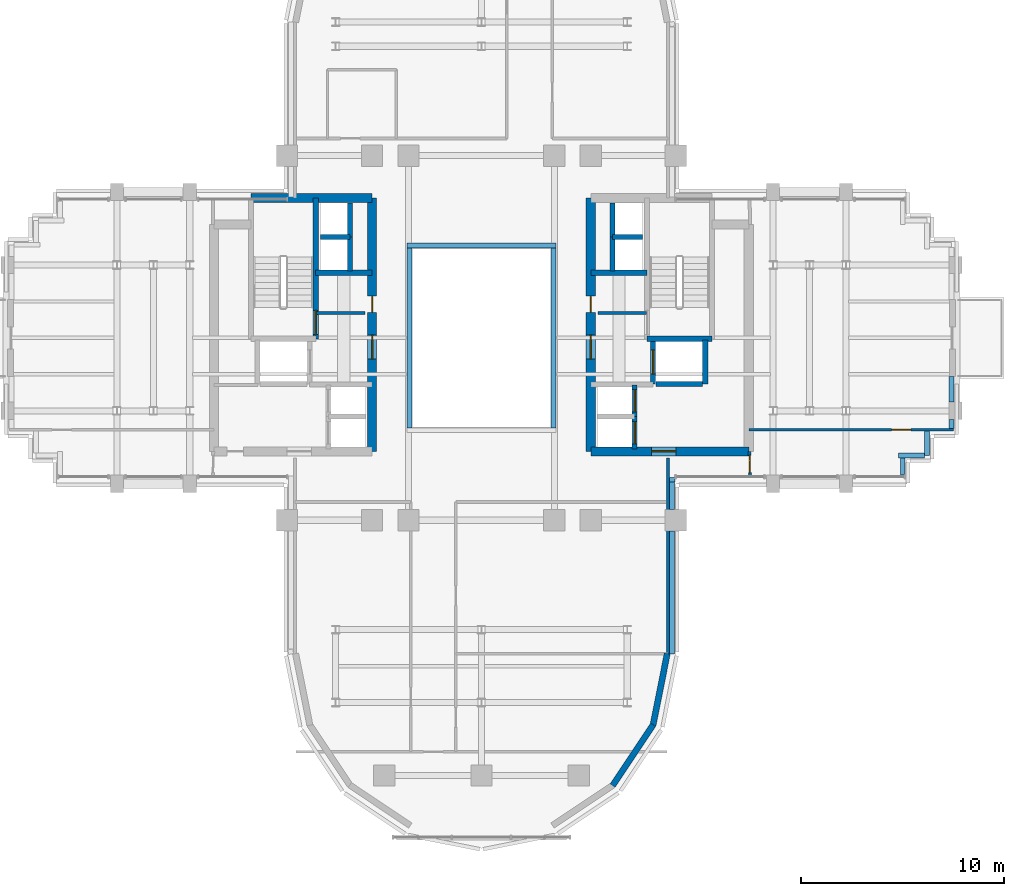
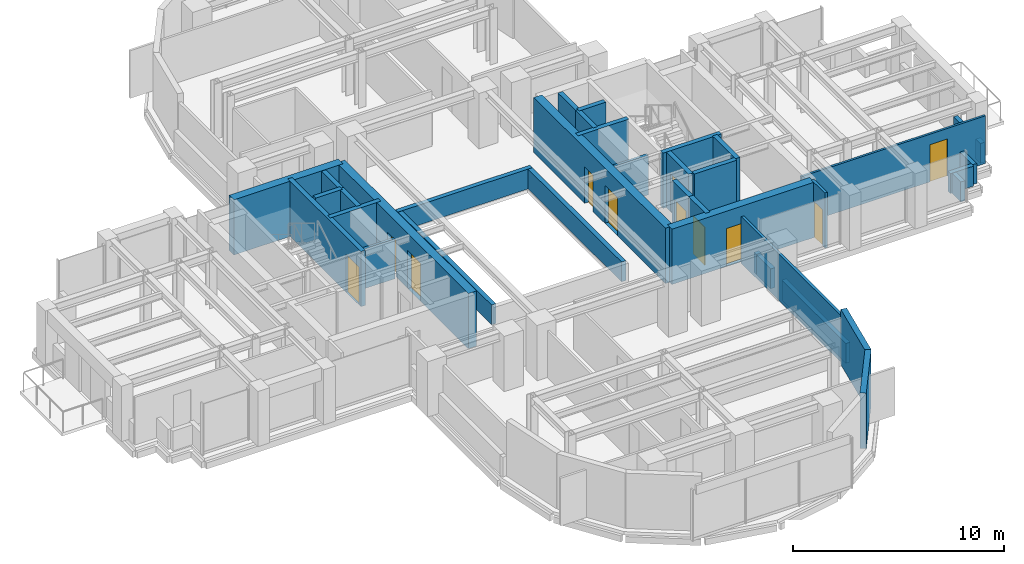
# One storey, part 9 of 13: 37 walls, 11 doors, 11 openings.
"""IFC4 building model written with IfcOpenShell, lengths in metres."""

import ifcopenshell
import ifcopenshell.guid

model = None  # the IFC model being written
_history = None  # IfcOwnerHistory: only IFC2X3 demands one
_inside = {}  # id of a spatial element -> (the spatial element, [elements in it])
_under = {}  # id of a project, library or spatial element -> (it, [spatial elements below it])
_declared = {}  # id of a project -> (the project, [libraries it declares])
_typed = {}  # id of a type object -> (the type object, [elements of that type])
_made_of = {}  # id of a material, layer set ... -> (it, [elements and type objects made of it])


def new_model(schema):
    """Start an empty IFC model of exactly this schema.

    Asked for "IFC4X3", IfcOpenShell would pick the latest addendum, in which some entities
    have other attributes; the version numbers below select the first issue.
    IFC2X3 requires an IfcOwnerHistory on every rooted entity: one is made here for all.
    """
    global model, _history
    if schema == "IFC4X3":
        model = ifcopenshell.file(schema_version=(4, 3, 0, 0))
    else:
        model = ifcopenshell.file(schema=schema)
    _inside.clear()
    _under.clear()
    _declared.clear()
    _typed.clear()
    _made_of.clear()
    _history = None
    if model.schema == "IFC2X3":
        org = make("IfcOrganization", Name="unknown")
        user = make(
            "IfcPersonAndOrganization",
            ThePerson=make("IfcPerson", FamilyName="unknown"),
            TheOrganization=org,
        )
        app = make(
            "IfcApplication",
            ApplicationDeveloper=org,
            Version="unknown",
            ApplicationFullName="unknown",
            ApplicationIdentifier="unknown",
        )
        _history = make(
            "IfcOwnerHistory",
            OwningUser=user,
            OwningApplication=app,
            ChangeAction="ADDED",
            CreationDate=0,
        )
    return model


def make(cls, **values):
    """One entity of the class cls with the attributes given. An attribute that is None is left unset."""
    return model.create_entity(
        cls, **{name: value for name, value in values.items() if value is not None}
    )


def rooted(cls, **values):
    """An entity with a GlobalId (a new one), such as an element, a storey or a relation."""
    return make(cls, GlobalId=ifcopenshell.guid.new(), OwnerHistory=_history, **values)


def si_unit(unit_type, name, prefix=None):
    """IfcSIUnit, for example si_unit("LENGTHUNIT", "METRE", prefix="MILLI")."""
    return make("IfcSIUnit", UnitType=unit_type, Prefix=prefix, Name=name)


def assignment(units):
    """IfcUnitAssignment: the units of a project."""
    return None if units is None else make("IfcUnitAssignment", Units=units)


def point(xyz):
    """IfcCartesianPoint."""
    return None if xyz is None else make("IfcCartesianPoint", Coordinates=xyz)


def direction(xyz):
    """IfcDirection."""
    return None if xyz is None else make("IfcDirection", DirectionRatios=xyz)


def frame(location, z_axis=None, x_axis=None):
    """IfcAxis2Placement3D, a coordinate frame: its origin and axes. An axis left out is left unset."""
    return make(
        "IfcAxis2Placement3D",
        Location=point(location),
        Axis=direction(z_axis),
        RefDirection=direction(x_axis),
    )


def frame_2d(location, x_axis=None):
    """IfcAxis2Placement2D, a coordinate frame in the plane: its origin and x axis."""
    return make(
        "IfcAxis2Placement2D", Location=point(location), RefDirection=direction(x_axis)
    )


def origin():
    """The frame at (0, 0, 0) with its axes left unset."""
    return frame((0.0, 0.0, 0.0))


def place(relative_to, where):
    """IfcLocalPlacement: puts the frame where relative to a parent placement (None: the world)."""
    return make(
        "IfcLocalPlacement", PlacementRelTo=relative_to, RelativePlacement=where
    )


def context(
    kind, dimensions, precision=None, world=None, true_north=None, identifier=None
):
    """IfcGeometricRepresentationContext, for example the 3D "Model" context."""
    return make(
        "IfcGeometricRepresentationContext",
        ContextIdentifier=identifier,
        ContextType=kind,
        CoordinateSpaceDimension=dimensions,
        Precision=precision,
        WorldCoordinateSystem=world,
        TrueNorth=true_north,
    )


def subcontext(parent, identifier, kind, view, scale=None):
    """IfcGeometricRepresentationSubContext, for example "Body" below "Model"."""
    return make(
        "IfcGeometricRepresentationSubContext",
        ContextIdentifier=identifier,
        ContextType=kind,
        ParentContext=parent,
        TargetScale=scale,
        TargetView=view,
    )


def project(units=None, contexts=None):
    """IfcProject with its units and contexts."""
    return rooted(
        "IfcProject",
        Name="project",
        RepresentationContexts=contexts,
        UnitsInContext=assignment(units),
    )


def spatial(cls, under=None, at=None, **own):
    """A site, building, storey or space (cls), placed at a placement, below another one or the project."""
    s = rooted(cls, ObjectPlacement=at, **own)
    if under is not None:
        _under.setdefault(under.id(), (under, []))[1].append(s)
    return s


def profile(cls, at=None, kind="AREA", **sizes):
    """A parametric profile (cls). Its sizes go by their IFC names, for example OverallWidth=200.0."""
    return make(cls, ProfileType=kind, Position=at, **sizes)


def rectangle(**sizes):
    """IfcRectangleProfileDef."""
    return profile("IfcRectangleProfileDef", **sizes)


def extrude(swept, where, along, depth):
    """IfcExtrudedAreaSolid: the profile swept, set in the frame where, extruded along a direction by depth."""
    return make(
        "IfcExtrudedAreaSolid",
        SweptArea=swept,
        Position=where,
        ExtrudedDirection=direction(along),
        Depth=depth,
    )


def shape(context_of_items, identifier, shape_type, items):
    """IfcShapeRepresentation: the items that make up one representation, for example the "Body"."""
    return make(
        "IfcShapeRepresentation",
        ContextOfItems=context_of_items,
        RepresentationIdentifier=identifier,
        RepresentationType=shape_type,
        Items=items,
    )


def source(mapping_origin, context_of_items, identifier, shape_type, items):
    """IfcRepresentationMap: a shape defined once, which mapped items show again and again."""
    return make(
        "IfcRepresentationMap",
        MappingOrigin=mapping_origin,
        MappedRepresentation=shape(context_of_items, identifier, shape_type, items),
    )


def transform(
    local_origin,
    x_axis=None,
    y_axis=None,
    z_axis=None,
    scale=None,
    scale2=None,
    scale3=None,
    uniform=True,
):
    """IfcCartesianTransformationOperator3D, or its non-uniform kind. x_axis, y_axis, z_axis: its Axis1, 2, 3."""
    if uniform:
        return make(
            "IfcCartesianTransformationOperator3D",
            Axis1=direction(x_axis),
            Axis2=direction(y_axis),
            LocalOrigin=point(local_origin),
            Scale=scale,
            Axis3=direction(z_axis),
        )
    return make(
        "IfcCartesianTransformationOperator3DnonUniform",
        Axis1=direction(x_axis),
        Axis2=direction(y_axis),
        LocalOrigin=point(local_origin),
        Scale=scale,
        Axis3=direction(z_axis),
        Scale2=scale2,
        Scale3=scale3,
    )


def mapped(mapping_source, mapping_target):
    """IfcMappedItem: shows the shape of a source again, moved by a transform."""
    return make(
        "IfcMappedItem", MappingSource=mapping_source, MappingTarget=mapping_target
    )


def material(Name=None, Category=None):
    """IfcMaterial."""
    return make("IfcMaterial", Name=Name, Category=Category)


def layer(
    of_material, thickness, ventilated=None, Name=None, Category=None, Priority=None
):
    """IfcMaterialLayer: one layer of a wall or slab, of a material (None: an air gap)."""
    return make(
        "IfcMaterialLayer",
        Material=of_material,
        LayerThickness=thickness,
        IsVentilated=ventilated,
        Name=Name,
        Category=Category,
        Priority=Priority,
    )


def layer_set(layers, Name=None):
    """IfcMaterialLayerSet."""
    return make("IfcMaterialLayerSet", MaterialLayers=layers, LayerSetName=Name)


def made_of(thing, what):
    """Note that an element or type object is made of a material, layer set ...; save() writes the relation."""
    if what is not None:
        _made_of.setdefault(what.id(), (what, []))[1].append(thing)
    return thing


def type_object(cls, material=None, **own):
    """A type object (cls), such as IfcWallType, which elements share."""
    return made_of(rooted(cls, **own), material)


def element(
    cls,
    number,
    at=None,
    inside=None,
    cuts=None,
    type_object=None,
    material=None,
    context=None,
    identifier="Body",
    shape_type=None,
    held_by="IfcProductDefinitionShape",
    body=None,
    shapes=None,
    **own,
):
    """One element of the class cls, such as IfcWall. Its Tag is "e" and its number.

    at: its placement. inside: the storey or other place that contains it. cuts: it is an
    opening in that element (IfcRelVoidsElement). A single representation is given by context,
    identifier, shape_type and body (its items); several are given by shapes. held_by: the class
    of the entity that holds the representations. save() writes the other relations.
    """
    e = rooted(cls, Tag="e%d" % number, ObjectPlacement=at, **own)
    if body is not None:
        shapes = [shape(context, identifier, shape_type, body)]
    if shapes is not None:
        e.Representation = make(held_by, Representations=shapes)
    if inside is not None:
        _inside.setdefault(inside.id(), (inside, []))[1].append(e)
    if cuts is not None:
        rooted(
            "IfcRelVoidsElement", RelatingBuildingElement=cuts, RelatedOpeningElement=e
        )
    if type_object is not None:
        _typed.setdefault(type_object.id(), (type_object, []))[1].append(e)
    return made_of(e, material)


def fill(opening, filler):
    """IfcRelFillsElement: the door or window that sits in an opening."""
    return rooted(
        "IfcRelFillsElement",
        RelatingOpeningElement=opening,
        RelatedBuildingElement=filler,
    )


def aggregate(whole, parts):
    """IfcRelAggregates: a whole, such as a stair, and the parts it consists of."""
    return rooted("IfcRelAggregates", RelatingObject=whole, RelatedObjects=parts)


def save(model, path):
    """Write the relations noted so far, then the file.

    IfcRelAggregates (storeys below a building ...), IfcRelContainedInSpatialStructure (elements
    in a storey), IfcRelDefinesByType, IfcRelAssociatesMaterial and IfcRelDeclares: one each for
    every whole, place, type object, material and project.
    """
    for whole, parts in _under.values():
        aggregate(whole, parts)
    for where, things in _inside.values():
        rooted(
            "IfcRelContainedInSpatialStructure",
            RelatedElements=things,
            RelatingStructure=where,
        )
    for kind, things in _typed.values():
        rooted("IfcRelDefinesByType", RelatedObjects=things, RelatingType=kind)
    for what, things in _made_of.values():
        rooted("IfcRelAssociatesMaterial", RelatedObjects=things, RelatingMaterial=what)
    for by, libraries in _declared.values():
        rooted("IfcRelDeclares", RelatingContext=by, RelatedDefinitions=libraries)
    model.write(path)


model = new_model("IFC4")

# Units and contexts
model_context = context("Model", 3, precision=1e-05, world=origin(), true_north=direction((0.0, 1.0)))
body_context = subcontext(model_context, "Body", "Model", "MODEL_VIEW")
ifc_project = project(units=[si_unit("LENGTHUNIT", "METRE"), si_unit("AREAUNIT", "SQUARE_METRE"), si_unit("VOLUMEUNIT", "CUBIC_METRE"), si_unit("PLANEANGLEUNIT", "RADIAN"), si_unit("MASSUNIT", "GRAM", prefix="KILO")], contexts=[model_context])

# Site, building, storey
site_placement = place(None, origin())
site = spatial("IfcSite", under=ifc_project, at=site_placement, CompositionType="ELEMENT")
building_placement = place(site_placement, origin())
building = spatial("IfcBuilding", under=site, at=building_placement, Name="Keilestroom Media Tower", CompositionType="ELEMENT")
storey_placement = place(building_placement, frame((0.0, 0.0, 104.0)))
storey = spatial("IfcBuildingStorey", under=building, at=storey_placement, Name="L27", CompositionType="ELEMENT", Elevation=104.0)

# Walls
ifc_material_1 = material(Name="Precast concrete C40/50", Category="concrete")
ifc_layer_1 = layer(ifc_material_1, 0.300048828125)
ifc_layer_set_1 = layer_set([ifc_layer_1], Name="Precast concrete C40/50")
wall_type_1 = type_object("IfcWallType", Name="Exterior-Masonry-Spandrel-Wall-300", PredefinedType="SOLIDWALL", material=ifc_layer_set_1)
for number, where, z_axis, x_axis, name in (
    (1, (6.47705078125, -22.097900390625, 0.0), (0.0, 0.0, 1.0), (0.555574187116, 0.831466970246, 0.0), "L27 Lobe Facet Precast Frame Wall 11"),
    (2, (8.470703125, -19.12451171875, 0.0), (0.0, 0.0, 1.0), (0.195114232679, 0.980780523974, 0.0), "L27 Lobe Facet Precast Frame Wall 12"),
):
    element("IfcWall", number, at=place(storey_placement, frame(where, z_axis=z_axis, x_axis=x_axis)), inside=storey, type_object=wall_type_1, Name=name, PredefinedType="SOLIDWALL", context=body_context, shape_type="SweptSolid", body=[
        extrude(rectangle(XDim=3.608642578125, YDim=0.300048828125, at=frame_2d((1.80419921875, 0.0))), origin(), (0.0, 0.0, 1.0), 3.199951171875),
    ])

# Wall, opening, door
ifc_material_2 = material(Name="Gypsum Plasterboard & Steel Stud", Category="steel")
ifc_layer_2 = layer(ifc_material_2, 0.1201171875)
ifc_layer_set_2 = layer_set([ifc_layer_2], Name="Gypsum Plasterboard & Steel Stud")
wall_type_2 = type_object("IfcWallType", Name="Interior-Partition-Wall-120", PredefinedType="PARTITIONING", material=ifc_layer_set_2)
wall_1_placement = place(storey_placement, frame((13.199951171875, -4.530029296875, 0.0), z_axis=(0.0, 0.0, 1.0), x_axis=(1.0, 0.0, 0.0)))
wall_1 = element("IfcWall", 3, at=wall_1_placement, inside=storey, type_object=wall_type_2, Name="L27 Interior Wall WP-L27-EA-CN", PredefinedType="PARTITIONING", context=body_context, shape_type="SweptSolid", body=[
    extrude(rectangle(XDim=10.10009765625, YDim=0.1201171875, at=frame_2d((5.050048828125, 0.0))), origin(), (0.0, 0.0, 1.0), 2.760009765625),
])
opening_1_placement = place(wall_1_placement, frame((7.050048828125, 0.0, 0.0)))
opening_1 = element("IfcOpeningElement", 4, at=opening_1_placement, cuts=wall_1, Name="Opening DI-03", PredefinedType="OPENING", context=body_context, shape_type="SweptSolid", body=[
    extrude(rectangle(XDim=0.949951171875, YDim=2.14990234375, at=frame_2d((0.47509765625, 1.074951171875))), frame((0.0, 0.070068359375, 0.0), z_axis=(0.0, -1.0, 0.0), x_axis=(1.0, 0.0, 0.0)), (0.0, 0.0, 1.0), 0.14013671875),
])
ifc_material_3 = material(Name="Lacquered European Oak Leaf", Category="wood")
door_type_1 = type_object("IfcDoorType", Name="Interior-Room-And-Suite-Door-DI-03", OperationType="NOTDEFINED", PredefinedType="DOOR", material=ifc_material_3)
shared_shape_1 = source(origin(), body_context, "Body", "SweptSolid", [
    extrude(rectangle(XDim=0.949951171875, YDim=2.14990234375, at=frame_2d((0.47509765625, 1.074951171875))), frame((0.0, 0.02490234375, 0.0), z_axis=(0.0, -1.0, 0.0), x_axis=(1.0, 0.0, 0.0)), (0.0, 0.0, 1.0), 0.050048828125),
])
door_1_placement = place(opening_1_placement, origin())
door_1 = element("IfcDoor", 5, at=door_1_placement, inside=storey, type_object=door_type_1, Name="L27 Interior Door DI-L27-DEA-RN", OperationType="SINGLE_SWING_LEFT", OverallHeight=2.14990234375, OverallWidth=0.949951171875, PredefinedType="DOOR", context=body_context, shape_type="MappedRepresentation", body=[
    mapped(shared_shape_1, transform((0.0, 0.0, 0.0), x_axis=(1.0, 0.0, 0.0), y_axis=(0.0, 1.0, 0.0), z_axis=(0.0, 0.0, 1.0), scale=1.0)),
])
fill(opening_1, door_1)

# Walls
ifc_layer_3 = layer(ifc_material_2, 0.14990234375)
ifc_layer_set_3 = layer_set([ifc_layer_3], Name="Gypsum Plasterboard & Steel Stud")
wall_type_3 = type_object("IfcWallType", Name="Interior-Partition-Wall-150", PredefinedType="PARTITIONING", material=ifc_layer_set_3)
for number, where, z_axis, x_axis, name in (
    (6, (-8.139892578125, 1.239990234375, 0.0), (0.0, 0.0, 1.0), (1.0, 0.0, 0.0), "L27 Interior Wall WP-L27-FFW-TOP"),
    (7, (5.75, 1.239990234375, 0.0), (0.0, 0.0, 1.0), (1.0, 0.0, 0.0), "L27 Interior Wall WP-L27-FFE-TOP"),
):
    element("IfcWall", number, at=place(storey_placement, frame(where, z_axis=z_axis, x_axis=x_axis)), inside=storey, type_object=wall_type_3, Name=name, PredefinedType="PARTITIONING", context=body_context, shape_type="SweptSolid", body=[
        extrude(rectangle(XDim=2.389892578125, YDim=0.14990234375, at=frame_2d((1.19482421875, 0.0))), origin(), (0.0, 0.0, 1.0), 2.300048828125),
    ])
wall_2_placement = place(storey_placement, frame((9.199951171875, -15.679931640625, 0.0), z_axis=(0.0, 0.0, 1.0), x_axis=(0.0, 1.0, 0.0)))
element("IfcWall", 8, at=wall_2_placement, inside=storey, type_object=wall_type_3, Name="L27 Interior Wall WP-L27-SL-CHKE", PredefinedType="PARTITIONING", context=body_context, shape_type="SweptSolid", body=[
    extrude(rectangle(XDim=9.739990234375, YDim=0.14990234375, at=frame_2d((4.8701171875, 0.0))), origin(), (0.0, 0.0, 1.0), 2.699951171875),
])

# Wall, opening, door
wall_3_placement = place(storey_placement, frame((13.260009765625, -6.85009765625, 0.0), z_axis=(0.0, 0.0, 1.0), x_axis=(-0.016013571389, 0.999871774545, 0.0)))
wall_3 = element("IfcWall", 9, at=wall_3_placement, inside=storey, type_object=wall_type_3, Name="L27 Interior Wall WP-L27-EA-ENTS", PredefinedType="PARTITIONING", context=body_context, shape_type="SweptSolid", body=[
    extrude(rectangle(XDim=1.250244140625, YDim=0.14990234375, at=frame_2d((0.625, 0.0))), origin(), (0.0, 0.0, 1.0), 3.199951171875),
])
opening_2_placement = place(wall_3_placement, frame((0.199951171875, 0.0, 0.0)))
opening_2 = element("IfcOpeningElement", 10, at=opening_2_placement, cuts=wall_3, Name="Opening DI-05", PredefinedType="OPENING", context=body_context, shape_type="SweptSolid", body=[
    extrude(rectangle(XDim=0.85009765625, YDim=2.10009765625, at=frame_2d((0.425048828125, 1.050048828125))), frame((0.0, 0.0849609375, 0.0), z_axis=(0.0, -1.0, 0.0), x_axis=(1.0, 0.0, 0.0)), (0.0, 0.0, 1.0), 0.169921875),
])
ifc_material_4 = material(Name="Moisture-Resistant Oak Leaf", Category="wood")
door_type_2 = type_object("IfcDoorType", Name="Interior-En-Suite-And-Cupboard-Door-DI-05", OperationType="NOTDEFINED", PredefinedType="DOOR", material=ifc_material_4)
shared_shape_2 = source(origin(), body_context, "Body", "SweptSolid", [
    extrude(rectangle(XDim=0.85009765625, YDim=2.10009765625, at=frame_2d((0.425048828125, 1.050048828125))), frame((0.0, 0.02490234375, 0.0), z_axis=(0.0, -1.0, 0.0), x_axis=(1.0, 0.0, 0.0)), (0.0, 0.0, 1.0), 0.050048828125),
])
door_2_placement = place(opening_2_placement, origin())
door_2 = element("IfcDoor", 11, at=door_2_placement, inside=storey, type_object=door_type_2, Name="L27 Interior Door DI-L27-DEA-ENTS", OperationType="SINGLE_SWING_LEFT", OverallHeight=2.10009765625, OverallWidth=0.85009765625, PredefinedType="DOOR", context=body_context, shape_type="MappedRepresentation", body=[
    mapped(shared_shape_2, transform((0.0, 0.0, 0.0), x_axis=(1.0, 0.0, 0.0), y_axis=(0.0, 1.0, 0.0), z_axis=(0.0, 0.0, 1.0), scale=1.0)),
])
fill(opening_2, door_2)

# Wall, openings, doors
ifc_material_5 = material(Name="Concrete C55/67", Category="concrete")
ifc_layer_4 = layer(ifc_material_5, 0.449951171875)
ifc_layer_set_4 = layer_set([ifc_layer_4], Name="Concrete C55/67")
wall_type_4 = type_object("IfcWallType", Name="Reinforced-Concrete-Core-Shear-Wall-450", PredefinedType="SHEAR", material=ifc_layer_set_4)
wall_4_placement = place(storey_placement, frame((-5.39990234375, -5.60009765625, 0.0), z_axis=(0.0, 0.0, 1.0), x_axis=(0.0, 1.0, 0.0)))
wall_4 = element("IfcWall", 12, at=wall_4_placement, inside=storey, type_object=wall_type_4, Name="L27 Core Shear Wall WL-L27-CORE-W-IN", PredefinedType="SHEAR", context=body_context, shape_type="SweptSolid", body=[
    extrude(rectangle(XDim=12.5, YDim=0.449951171875, at=frame_2d((6.25, 0.0))), origin(), (0.0, 0.0, 1.0), 3.199951171875),
])
opening_3_placement = place(wall_4_placement, frame((4.550048828125, 0.0, 0.0)))
opening_3 = element("IfcOpeningElement", 13, at=opening_3_placement, cuts=wall_4, Name="Opening DI-02", PredefinedType="OPENING", context=body_context, shape_type="SweptSolid", body=[
    extrude(rectangle(XDim=1.199951171875, YDim=2.199951171875, at=frame_2d((0.60009765625, 1.10009765625))), frame((0.0, 0.23486328125, 0.0), z_axis=(0.0, -1.0, 0.0), x_axis=(1.0, 0.0, 0.0)), (0.0, 0.0, 1.0), 0.469970703125),
])
opening_4_placement = place(wall_4_placement, frame((6.860107421875, 0.0, 0.0)))
opening_4 = element("IfcOpeningElement", 14, at=opening_4_placement, cuts=wall_4, Name="Opening DI-06", PredefinedType="OPENING", context=body_context, shape_type="SweptSolid", body=[
    extrude(rectangle(XDim=0.800048828125, YDim=2.10009765625, at=frame_2d((0.39990234375, 1.050048828125))), frame((0.0, 0.23486328125, 0.0), z_axis=(0.0, -1.0, 0.0), x_axis=(1.0, 0.0, 0.0)), (0.0, 0.0, 1.0), 0.469970703125),
])
ifc_material_6 = material(Name="Powder-Coated Steel Fire Leaf", Category="steel")
door_type_3 = type_object("IfcDoorType", Name="Interior-Compartment-Fire-Door-DI-02", OperationType="NOTDEFINED", PredefinedType="DOOR", material=ifc_material_6)
shared_shape_3 = source(origin(), body_context, "Body", "SweptSolid", [
    extrude(rectangle(XDim=1.199951171875, YDim=2.199951171875, at=frame_2d((0.60009765625, 1.10009765625))), frame((0.0, 0.02490234375, 0.0), z_axis=(0.0, -1.0, 0.0), x_axis=(1.0, 0.0, 0.0)), (0.0, 0.0, 1.0), 0.050048828125),
])
door_3_placement = place(opening_3_placement, origin())
door_3 = element("IfcDoor", 15, at=door_3_placement, inside=storey, type_object=door_type_3, Name="L27 W Firefighting Lobby Door", OperationType="SINGLE_SWING_RIGHT", OverallHeight=2.199951171875, OverallWidth=1.199951171875, PredefinedType="DOOR", context=body_context, shape_type="MappedRepresentation", body=[
    mapped(shared_shape_3, transform((0.0, 0.0, 0.0), x_axis=(1.0, 0.0, 0.0), y_axis=(0.0, 1.0, 0.0), z_axis=(0.0, 0.0, 1.0), scale=1.0)),
])
fill(opening_3, door_3)
ifc_material_7 = material(Name="Powder-Coated Steel Service Leaf", Category="steel")
door_type_4 = type_object("IfcDoorType", Name="Interior-Riser-Access-Door-DI-06", OperationType="NOTDEFINED", PredefinedType="DOOR", material=ifc_material_7)
shared_shape_4 = source(origin(), body_context, "Body", "SweptSolid", [
    extrude(rectangle(XDim=0.800048828125, YDim=2.10009765625, at=frame_2d((0.39990234375, 1.050048828125))), frame((0.0, 0.02490234375, 0.0), z_axis=(0.0, -1.0, 0.0), x_axis=(1.0, 0.0, 0.0)), (0.0, 0.0, 1.0), 0.050048828125),
])
door_4_placement = place(opening_4_placement, origin())
door_4 = element("IfcDoor", 16, at=door_4_placement, inside=storey, type_object=door_type_4, Name="L27 West Core Switchroom Door", OperationType="SINGLE_SWING_LEFT", OverallHeight=2.10009765625, OverallWidth=0.800048828125, PredefinedType="DOOR", context=body_context, shape_type="MappedRepresentation", body=[
    mapped(shared_shape_4, transform((0.0, 0.0, 0.0), x_axis=(1.0, 0.0, 0.0), y_axis=(0.0, 1.0, 0.0), z_axis=(0.0, 0.0, 1.0), scale=1.0)),
])
fill(opening_4, door_4)

# Wall
wall_5_placement = place(storey_placement, frame((-11.381103515625, 6.89990234375, 0.0), z_axis=(0.0, 0.0, 1.0), x_axis=(1.0, 0.0, 0.0)))
element("IfcWall", 17, at=wall_5_placement, inside=storey, type_object=wall_type_4, Name="L27 Core Shear Wall WL-L27-CORE-W-N", PredefinedType="SHEAR", context=body_context, shape_type="SweptSolid", body=[
    extrude(rectangle(XDim=5.981201171875, YDim=0.449951171875, at=frame_2d((2.99072265625, 0.0))), origin(), (0.0, 0.0, 1.0), 3.199951171875),
])

# Wall, openings, doors
wall_6_placement = place(storey_placement, frame((5.39990234375, -5.60009765625, 0.0), z_axis=(0.0, 0.0, 1.0), x_axis=(0.0, 1.0, 0.0)))
wall_6 = element("IfcWall", 18, at=wall_6_placement, inside=storey, type_object=wall_type_4, Name="L27 Core Shear Wall WL-L27-CORE-E-IN", PredefinedType="SHEAR", context=body_context, shape_type="SweptSolid", body=[
    extrude(rectangle(XDim=12.5, YDim=0.449951171875, at=frame_2d((6.25, 0.0))), origin(), (0.0, 0.0, 1.0), 3.199951171875),
])
opening_5_placement = place(wall_6_placement, frame((4.550048828125, 0.0, 0.0)))
opening_5 = element("IfcOpeningElement", 19, at=opening_5_placement, cuts=wall_6, Name="Opening DI-02", PredefinedType="OPENING", context=body_context, shape_type="SweptSolid", body=[
    extrude(rectangle(XDim=1.199951171875, YDim=2.199951171875, at=frame_2d((0.60009765625, 1.10009765625))), frame((0.0, 0.23486328125, 0.0), z_axis=(0.0, -1.0, 0.0), x_axis=(1.0, 0.0, 0.0)), (0.0, 0.0, 1.0), 0.469970703125),
])
opening_6_placement = place(wall_6_placement, frame((6.860107421875, 0.0, 0.0)))
opening_6 = element("IfcOpeningElement", 20, at=opening_6_placement, cuts=wall_6, Name="Opening DI-06", PredefinedType="OPENING", context=body_context, shape_type="SweptSolid", body=[
    extrude(rectangle(XDim=0.800048828125, YDim=2.10009765625, at=frame_2d((0.39990234375, 1.050048828125))), frame((0.0, 0.23486328125, 0.0), z_axis=(0.0, -1.0, 0.0), x_axis=(1.0, 0.0, 0.0)), (0.0, 0.0, 1.0), 0.469970703125),
])
door_5_placement = place(opening_5_placement, origin())
door_5 = element("IfcDoor", 21, at=door_5_placement, inside=storey, type_object=door_type_3, Name="L27 E Firefighting Lobby Door", OperationType="SINGLE_SWING_LEFT", OverallHeight=2.199951171875, OverallWidth=1.199951171875, PredefinedType="DOOR", context=body_context, shape_type="MappedRepresentation", body=[
    mapped(shared_shape_3, transform((0.0, 0.0, 0.0), x_axis=(1.0, 0.0, 0.0), y_axis=(0.0, 1.0, 0.0), z_axis=(0.0, 0.0, 1.0), scale=1.0)),
])
fill(opening_5, door_5)
door_6_placement = place(opening_6_placement, origin())
door_6 = element("IfcDoor", 22, at=door_6_placement, inside=storey, type_object=door_type_4, Name="L27 East Core Telecom Door", OperationType="SINGLE_SWING_RIGHT", OverallHeight=2.10009765625, OverallWidth=0.800048828125, PredefinedType="DOOR", context=body_context, shape_type="MappedRepresentation", body=[
    mapped(shared_shape_4, transform((0.0, 0.0, 0.0), x_axis=(1.0, 0.0, 0.0), y_axis=(0.0, 1.0, 0.0), z_axis=(0.0, 0.0, 1.0), scale=1.0)),
])
fill(opening_6, door_6)

# Wall, opening, door
wall_7_placement = place(storey_placement, frame((5.39990234375, -5.60009765625, 0.0), z_axis=(0.0, 0.0, 1.0), x_axis=(1.0, 0.0, 0.0)))
wall_7 = element("IfcWall", 23, at=wall_7_placement, inside=storey, type_object=wall_type_4, Name="L27 Core Shear Wall WL-L27-CORE-E-S", PredefinedType="SHEAR", context=body_context, shape_type="SweptSolid", body=[
    extrude(rectangle(XDim=7.800048828125, YDim=0.449951171875, at=frame_2d((3.89990234375, 0.0))), origin(), (0.0, 0.0, 1.0), 3.199951171875),
])
opening_7_placement = place(wall_7_placement, frame((3.0, 0.0, 0.0)))
opening_7 = element("IfcOpeningElement", 24, at=opening_7_placement, cuts=wall_7, Name="Opening DI-02", PredefinedType="OPENING", context=body_context, shape_type="SweptSolid", body=[
    extrude(rectangle(XDim=1.199951171875, YDim=2.199951171875, at=frame_2d((0.60009765625, 1.10009765625))), frame((0.0, 0.23486328125, 0.0), z_axis=(0.0, -1.0, 0.0), x_axis=(1.0, 0.0, 0.0)), (0.0, 0.0, 1.0), 0.469970703125),
])
door_7_placement = place(opening_7_placement, origin())
door_7 = element("IfcDoor", 25, at=door_7_placement, inside=storey, type_object=door_type_3, Name="L27 E Passenger Lift Lobby Door", OperationType="SINGLE_SWING_RIGHT", OverallHeight=2.199951171875, OverallWidth=1.199951171875, PredefinedType="DOOR", context=body_context, shape_type="MappedRepresentation", body=[
    mapped(shared_shape_3, transform((0.0, 0.0, 0.0), x_axis=(1.0, 0.0, 0.0), y_axis=(0.0, 1.0, 0.0), z_axis=(0.0, 0.0, 1.0), scale=1.0)),
])
fill(opening_7, door_7)

# Wall
ifc_material_8 = material(Name="Concrete C50/60", Category="concrete")
ifc_layer_5 = layer(ifc_material_8, 0.25)
ifc_layer_set_5 = layer_set([ifc_layer_5], Name="Concrete C50/60")
wall_type_5 = type_object("IfcWallType", Name="Reinforced-Concrete-Shaft-Wall-250", PredefinedType="SOLIDWALL", material=ifc_layer_set_5)
wall_8_placement = place(storey_placement, frame((-8.179931640625, 3.219970703125, 0.0), z_axis=(0.0, 0.0, 1.0), x_axis=(1.0, 0.0, 0.0)))
element("IfcWall", 26, at=wall_8_placement, inside=storey, type_object=wall_type_5, Name="L27 Core Shear Wall WL-L27-CORE-W-FFN", PredefinedType="SOLIDWALL", context=body_context, shape_type="SweptSolid", body=[
    extrude(rectangle(XDim=2.780029296875, YDim=0.25, at=frame_2d((1.39013671875, 0.0))), origin(), (0.0, 0.0, 1.0), 3.199951171875),
])

# Wall, opening, door
wall_9_placement = place(storey_placement, frame((-8.178955078125, -0.041015625, 0.0), z_axis=(0.0, 0.0, 1.0), x_axis=(0.0, 1.0, 0.0)))
wall_9 = element("IfcWall", 27, at=wall_9_placement, inside=storey, type_object=wall_type_5, Name="L27 Core Shear Wall WL-L27-STW-W-NEAR", PredefinedType="SOLIDWALL", context=body_context, shape_type="SweptSolid", body=[
    extrude(rectangle(XDim=6.94091796875, YDim=0.25, at=frame_2d((3.470458984375, 0.0))), origin(), (0.0, 0.0, 1.0), 3.199951171875),
])
opening_8_placement = place(wall_9_placement, frame((0.199951171875, 0.0, 0.0)))
opening_8 = element("IfcOpeningElement", 28, at=opening_8_placement, cuts=wall_9, Name="Opening DI-01S", PredefinedType="OPENING", context=body_context, shape_type="SweptSolid", body=[
    extrude(rectangle(XDim=1.199951171875, YDim=2.199951171875, at=frame_2d((0.60009765625, 1.10009765625))), frame((0.0, 0.135009765625, 0.0), z_axis=(0.0, -1.0, 0.0), x_axis=(1.0, 0.0, 0.0)), (0.0, 0.0, 1.0), 0.27001953125),
])
door_type_5 = type_object("IfcDoorType", Name="Interior-Stair-And-Core-Fire-Door-DI-01", OperationType="NOTDEFINED", PredefinedType="DOOR", material=ifc_material_6)
door_8_placement = place(opening_8_placement, origin())
door_8 = element("IfcDoor", 29, at=door_8_placement, inside=storey, type_object=door_type_5, Name="L27 Escape Stair ST-1 Fire Door", OperationType="SINGLE_SWING_LEFT", OverallHeight=2.199951171875, OverallWidth=1.199951171875, PredefinedType="DOOR", context=body_context, shape_type="MappedRepresentation", body=[
    mapped(shared_shape_3, transform((0.0, 0.0, 0.0), x_axis=(1.0, 0.0, 0.0), y_axis=(0.0, 1.0, 0.0), z_axis=(0.0, 0.0, 1.0), scale=1.0)),
])
fill(opening_8, door_8)

# Walls
wall_10_placement = place(storey_placement, frame((5.39990234375, 3.219970703125, 0.0), z_axis=(0.0, 0.0, 1.0), x_axis=(1.0, 0.0, 0.0)))
element("IfcWall", 30, at=wall_10_placement, inside=storey, type_object=wall_type_5, Name="L27 Core Shear Wall WL-L27-CORE-E-FFN", PredefinedType="SOLIDWALL", context=body_context, shape_type="SweptSolid", body=[
    extrude(rectangle(XDim=2.780029296875, YDim=0.25, at=frame_2d((1.39013671875, 0.0))), origin(), (0.0, 0.0, 1.0), 3.199951171875),
])
wall_11_placement = place(storey_placement, frame((8.178955078125, -0.041015625, 0.0), z_axis=(0.0, 0.0, 1.0), x_axis=(1.0, 0.0, 0.0)))
element("IfcWall", 31, at=wall_11_placement, inside=storey, type_object=wall_type_5, Name="L27 Core Shear Wall WL-L27-STW-E-S", PredefinedType="SOLIDWALL", context=body_context, shape_type="SweptSolid", body=[
    extrude(rectangle(XDim=3.2021484375, YDim=0.25, at=frame_2d((1.60107421875, 0.0))), origin(), (0.0, 0.0, 1.0), 3.199951171875),
])

# Wall, opening, door
wall_12_placement = place(storey_placement, frame((8.47998046875, -2.280029296875, 0.0), z_axis=(0.0, 0.0, 1.0), x_axis=(0.0, 1.0, 0.0)))
wall_12 = element("IfcWall", 32, at=wall_12_placement, inside=storey, type_object=wall_type_5, Name="L27 Core Shear Wall WL-L27-LSH-FFL-2-W", PredefinedType="SOLIDWALL", context=body_context, shape_type="SweptSolid", body=[
    extrude(rectangle(XDim=2.179931640625, YDim=0.25, at=frame_2d((1.08984375, 0.0))), origin(), (0.0, 0.0, 1.0), 3.199951171875),
])
opening_9_placement = place(wall_12_placement, frame((0.489990234375, 0.0, 0.0)))
opening_9 = element("IfcOpeningElement", 33, at=opening_9_placement, cuts=wall_12, Name="Opening LD-02", PredefinedType="OPENING", context=body_context, shape_type="SweptSolid", body=[
    extrude(rectangle(XDim=1.199951171875, YDim=2.199951171875, at=frame_2d((0.60009765625, 1.10009765625))), frame((0.0, 0.135009765625, 0.0), z_axis=(0.0, -1.0, 0.0), x_axis=(1.0, 0.0, 0.0)), (0.0, 0.0, 1.0), 0.27001953125),
])
ifc_material_9 = material(Name="Brushed Stainless Steel Sliding Leaf", Category="steel")
door_type_6 = type_object("IfcDoorType", Name="Lift-Landing-Sliding-Door-LD-02", OperationType="SLIDING_TO_RIGHT", PredefinedType="DOOR", material=ifc_material_9)
door_9_placement = place(opening_9_placement, origin())
door_9 = element("IfcDoor", 34, at=door_9_placement, inside=storey, type_object=door_type_6, Name="L27 Lift FFL-2 Landing Sliding Door", OperationType="SLIDING_TO_RIGHT", OverallHeight=2.199951171875, OverallWidth=1.199951171875, PredefinedType="DOOR", context=body_context, shape_type="MappedRepresentation", body=[
    mapped(shared_shape_3, transform((0.0, 0.0, 0.0), x_axis=(1.0, 0.0, 0.0), y_axis=(0.0, 1.0, 0.0), z_axis=(0.0, 0.0, 1.0), scale=1.0)),
])
fill(opening_9, door_9)

# Walls
wall_13_placement = place(storey_placement, frame((11.050048828125, -2.280029296875, 0.0), z_axis=(0.0, 0.0, 1.0), x_axis=(0.0, 1.0, 0.0)))
element("IfcWall", 35, at=wall_13_placement, inside=storey, type_object=wall_type_5, Name="L27 Core Shear Wall WL-L27-LSH-FFL-2-E", PredefinedType="SOLIDWALL", context=body_context, shape_type="SweptSolid", body=[
    extrude(rectangle(XDim=2.179931640625, YDim=0.25, at=frame_2d((1.08984375, 0.0))), origin(), (0.0, 0.0, 1.0), 3.199951171875),
])
wall_14_placement = place(storey_placement, frame((8.60888671875, -2.280029296875, 0.0), z_axis=(0.0, 0.0, 1.0), x_axis=(1.0, 0.0, 0.0)))
element("IfcWall", 36, at=wall_14_placement, inside=storey, type_object=wall_type_5, Name="L27 Core Shear Wall WL-L27-LSH-FFL-2-S", PredefinedType="SOLIDWALL", context=body_context, shape_type="SweptSolid", body=[
    extrude(rectangle(XDim=2.31201171875, YDim=0.25, at=frame_2d((1.156005859375, 0.0))), origin(), (0.0, 0.0, 1.0), 3.199951171875),
])

# Wall, opening, door
wall_15_placement = place(storey_placement, frame((7.56005859375, -5.47998046875, 0.0), z_axis=(0.0, 0.0, 1.0), x_axis=(0.0, 1.0, 0.0)))
wall_15 = element("IfcWall", 37, at=wall_15_placement, inside=storey, type_object=wall_type_5, Name="L27 Core Shear Wall WL-L27-LSH-PL-M3-E", PredefinedType="SOLIDWALL", context=body_context, shape_type="SweptSolid", body=[
    extrude(rectangle(XDim=1.60009765625, YDim=0.25, at=frame_2d((0.800048828125, 0.0))), origin(), (0.0, 0.0, 1.0), 3.199951171875),
])
opening_10_placement = place(wall_15_placement, frame((0.25, 0.0, 0.0)))
opening_10 = element("IfcOpeningElement", 38, at=opening_10_placement, cuts=wall_15, Name="Opening LD-01", PredefinedType="OPENING", context=body_context, shape_type="SweptSolid", body=[
    extrude(rectangle(XDim=1.10009765625, YDim=2.199951171875, at=frame_2d((0.550048828125, 1.10009765625))), frame((0.0, 0.135009765625, 0.0), z_axis=(0.0, -1.0, 0.0), x_axis=(1.0, 0.0, 0.0)), (0.0, 0.0, 1.0), 0.27001953125),
])
door_type_7 = type_object("IfcDoorType", Name="Lift-Landing-Sliding-Door-LD-01", OperationType="SLIDING_TO_LEFT", PredefinedType="DOOR", material=ifc_material_9)
shared_shape_5 = source(origin(), body_context, "Body", "SweptSolid", [
    extrude(rectangle(XDim=1.10009765625, YDim=2.199951171875, at=frame_2d((0.550048828125, 1.10009765625))), frame((0.0, 0.02490234375, 0.0), z_axis=(0.0, -1.0, 0.0), x_axis=(1.0, 0.0, 0.0)), (0.0, 0.0, 1.0), 0.050048828125),
])
door_10_placement = place(opening_10_placement, origin())
door_10 = element("IfcDoor", 39, at=door_10_placement, inside=storey, type_object=door_type_7, Name="L27 Lift PL-M3 Landing Sliding Door", OperationType="SLIDING_TO_LEFT", OverallHeight=2.199951171875, OverallWidth=1.10009765625, PredefinedType="DOOR", context=body_context, shape_type="MappedRepresentation", body=[
    mapped(shared_shape_5, transform((0.0, 0.0, 0.0), x_axis=(1.0, 0.0, 0.0), y_axis=(0.0, 1.0, 0.0), z_axis=(0.0, 0.0, 1.0), scale=1.0)),
])
fill(opening_10, door_10)

wall_16_placement = place(storey_placement, frame((7.56005859375, -3.8798828125, 0.0), z_axis=(0.0, 0.0, 1.0), x_axis=(0.0, 1.0, 0.0)))
wall_16 = element("IfcWall", 40, at=wall_16_placement, inside=storey, type_object=wall_type_5, Name="L27 Core Shear Wall WL-L27-LSH-PL-M4-E", PredefinedType="SOLIDWALL", context=body_context, shape_type="SweptSolid", body=[
    extrude(rectangle(XDim=1.559814453125, YDim=0.25, at=frame_2d((0.77978515625, 0.0))), origin(), (0.0, 0.0, 1.0), 3.199951171875),
])
opening_11_placement = place(wall_16_placement, frame((0.22998046875, 0.0, 0.0)))
opening_11 = element("IfcOpeningElement", 41, at=opening_11_placement, cuts=wall_16, Name="Opening LD-01", PredefinedType="OPENING", context=body_context, shape_type="SweptSolid", body=[
    extrude(rectangle(XDim=1.10009765625, YDim=2.199951171875, at=frame_2d((0.550048828125, 1.10009765625))), frame((0.0, 0.135009765625, 0.0), z_axis=(0.0, -1.0, 0.0), x_axis=(1.0, 0.0, 0.0)), (0.0, 0.0, 1.0), 0.27001953125),
])
door_11_placement = place(opening_11_placement, origin())
door_11 = element("IfcDoor", 42, at=door_11_placement, inside=storey, type_object=door_type_7, Name="L27 Lift PL-M4 Landing Sliding Door", OperationType="SLIDING_TO_LEFT", OverallHeight=2.199951171875, OverallWidth=1.10009765625, PredefinedType="DOOR", context=body_context, shape_type="MappedRepresentation", body=[
    mapped(shared_shape_5, transform((0.0, 0.0, 0.0), x_axis=(1.0, 0.0, 0.0), y_axis=(0.0, 1.0, 0.0), z_axis=(0.0, 0.0, 1.0), scale=1.0)),
])
fill(opening_11, door_11)

# Walls
wall_17_placement = place(storey_placement, frame((-6.47998046875, 3.300048828125, 0.0), z_axis=(0.0, 0.0, 1.0), x_axis=(0.0, 1.0, 0.0)))
element("IfcWall", 43, at=wall_17_placement, inside=storey, type_object=wall_type_5, Name="L27 Core Shear Wall WL-L27-LSH-PL-H1-E", PredefinedType="SOLIDWALL", context=body_context, shape_type="SweptSolid", body=[
    extrude(rectangle(XDim=1.679931640625, YDim=0.25, at=frame_2d((0.83984375, 0.0))), origin(), (0.0, 0.0, 1.0), 3.199951171875),
])
wall_18_placement = place(storey_placement, frame((-7.949951171875, 4.97998046875, 0.0), z_axis=(0.0, 0.0, 1.0), x_axis=(1.0, 0.0, 0.0)))
element("IfcWall", 44, at=wall_18_placement, inside=storey, type_object=wall_type_5, Name="L27 Core Shear Wall WL-L27-LSH-PL-H1-N", PredefinedType="SOLIDWALL", context=body_context, shape_type="SweptSolid", body=[
    extrude(rectangle(XDim=1.469970703125, YDim=0.25, at=frame_2d((0.73486328125, 0.0))), origin(), (0.0, 0.0, 1.0), 3.199951171875),
])
wall_19_placement = place(storey_placement, frame((-6.47998046875, 4.97998046875, 0.0), z_axis=(0.0, 0.0, 1.0), x_axis=(0.0, 1.0, 0.0)))
element("IfcWall", 45, at=wall_19_placement, inside=storey, type_object=wall_type_5, Name="L27 Core Shear Wall WL-L27-LSH-PL-H2-E", PredefinedType="SOLIDWALL", context=body_context, shape_type="SweptSolid", body=[
    extrude(rectangle(XDim=1.669921875, YDim=0.25, at=frame_2d((0.8349609375, 0.0))), origin(), (0.0, 0.0, 1.0), 3.199951171875),
])
wall_20_placement = place(storey_placement, frame((6.47998046875, 3.300048828125, 0.0), z_axis=(0.0, 0.0, 1.0), x_axis=(0.0, 1.0, 0.0)))
element("IfcWall", 46, at=wall_20_placement, inside=storey, type_object=wall_type_5, Name="L27 Core Shear Wall WL-L27-LSH-PL-H3-W", PredefinedType="SOLIDWALL", context=body_context, shape_type="SweptSolid", body=[
    extrude(rectangle(XDim=1.679931640625, YDim=0.25, at=frame_2d((0.83984375, 0.0))), origin(), (0.0, 0.0, 1.0), 3.199951171875),
])
wall_21_placement = place(storey_placement, frame((6.47998046875, 4.97998046875, 0.0), z_axis=(0.0, 0.0, 1.0), x_axis=(1.0, 0.0, 0.0)))
element("IfcWall", 47, at=wall_21_placement, inside=storey, type_object=wall_type_5, Name="L27 Core Shear Wall WL-L27-LSH-PL-H3-N", PredefinedType="SOLIDWALL", context=body_context, shape_type="SweptSolid", body=[
    extrude(rectangle(XDim=1.469970703125, YDim=0.25, at=frame_2d((0.73486328125, 0.0))), origin(), (0.0, 0.0, 1.0), 3.199951171875),
])
wall_22_placement = place(storey_placement, frame((6.47998046875, 4.97998046875, 0.0), z_axis=(0.0, 0.0, 1.0), x_axis=(0.0, 1.0, 0.0)))
element("IfcWall", 48, at=wall_22_placement, inside=storey, type_object=wall_type_5, Name="L27 Core Shear Wall WL-L27-LSH-PL-H4-W", PredefinedType="SOLIDWALL", context=body_context, shape_type="SweptSolid", body=[
    extrude(rectangle(XDim=1.669921875, YDim=0.25, at=frame_2d((0.8349609375, 0.0))), origin(), (0.0, 0.0, 1.0), 3.199951171875),
])
ifc_layer_6 = layer(ifc_material_1, 0.239990234375)
ifc_layer_set_6 = layer_set([ifc_layer_6], Name="Precast concrete C40/50")
wall_type_6 = type_object("IfcWallType", Name="Roof-And-Terrace-Parapet-Wall-240", PredefinedType="PARAPET", material=ifc_layer_set_6)
wall_23_placement = place(storey_placement, frame((22.0, -4.593017578125, 0.0), z_axis=(0.0, 0.0, 1.0), x_axis=(0.0, -1.0, 0.0)))
element("IfcWall", 49, at=wall_23_placement, inside=storey, type_object=wall_type_6, Name="L27 Perimeter Edge Parapet Wall 01", PredefinedType="PARAPET", context=body_context, shape_type="SweptSolid", body=[
    extrude(rectangle(XDim=1.20703125, YDim=0.239990234375, at=frame_2d((0.603515625, 0.0))), origin(), (0.0, 0.0, 1.0), 1.14990234375),
])
wall_24_placement = place(storey_placement, frame((21.876953125, -5.800048828125, 0.0), z_axis=(0.0, 0.0, 1.0), x_axis=(-1.0, 0.0, 0.0)))
element("IfcWall", 50, at=wall_24_placement, inside=storey, type_object=wall_type_6, Name="L27 Perimeter Edge Parapet Wall 02", PredefinedType="PARAPET", context=body_context, shape_type="SweptSolid", body=[
    extrude(rectangle(XDim=1.27685546875, YDim=0.239990234375, at=frame_2d((0.638427734375, 0.0))), origin(), (0.0, 0.0, 1.0), 1.14990234375),
])
wall_25_placement = place(storey_placement, frame((20.800048828125, -5.923095703125, 0.0), z_axis=(0.0, 0.0, 1.0), x_axis=(0.0, -1.0, 0.0)))
element("IfcWall", 51, at=wall_25_placement, inside=storey, type_object=wall_type_6, Name="L27 Perimeter Edge Parapet Wall 03", PredefinedType="PARAPET", context=body_context, shape_type="SweptSolid", body=[
    extrude(rectangle(XDim=0.833984375, YDim=0.239990234375, at=frame_2d((0.4169921875, 0.0))), origin(), (0.0, 0.0, 1.0), 1.14990234375),
])
wall_26_placement = place(storey_placement, frame((9.547119140625, -7.0, 0.0), z_axis=(0.0, 0.0, 1.0), x_axis=(-1.0, 0.0, 0.0)))
element("IfcWall", 52, at=wall_26_placement, inside=storey, type_object=wall_type_6, Name="L27 Perimeter Edge Parapet Wall 04", PredefinedType="PARAPET", context=body_context, shape_type="SweptSolid", body=[
    extrude(rectangle(XDim=0.26904296875, YDim=0.239990234375, at=frame_2d((0.134521484375, 0.0))), origin(), (0.0, 0.0, 1.0), 1.14990234375),
])
wall_27_placement = place(storey_placement, frame((9.39990234375, -7.123046875, 0.0), z_axis=(0.0, 0.0, 1.0), x_axis=(0.0, -1.0, 0.0)))
element("IfcWall", 53, at=wall_27_placement, inside=storey, type_object=wall_type_6, Name="L27 Perimeter Edge Parapet Wall 05", PredefinedType="PARAPET", context=body_context, shape_type="SweptSolid", body=[
    extrude(rectangle(XDim=1.348876953125, YDim=0.239990234375, at=frame_2d((0.67431640625, 0.0))), origin(), (0.0, 0.0, 1.0), 1.14990234375),
])
wall_28_placement = place(storey_placement, frame((9.39990234375, -9.528076171875, 0.0), z_axis=(0.0, 0.0, 1.0), x_axis=(0.0, -1.0, 0.0)))
element("IfcWall", 54, at=wall_28_placement, inside=storey, type_object=wall_type_6, Name="L27 Perimeter Edge Parapet Wall 06", PredefinedType="PARAPET", context=body_context, shape_type="SweptSolid", body=[
    extrude(rectangle(XDim=6.07470703125, YDim=0.239990234375, at=frame_2d((3.037353515625, 0.0))), origin(), (0.0, 0.0, 1.0), 1.14990234375),
])
wall_29_placement = place(storey_placement, frame((23.199951171875, -1.903076171875, 0.0), z_axis=(0.0, 0.0, 1.0), x_axis=(0.0, -1.0, 0.0)))
element("IfcWall", 55, at=wall_29_placement, inside=storey, type_object=wall_type_6, Name="L27 Perimeter Edge Parapet Wall 32", PredefinedType="PARAPET", context=body_context, shape_type="SweptSolid", body=[
    extrude(rectangle(XDim=1.26904296875, YDim=0.239990234375, at=frame_2d((0.634521484375, 0.0))), origin(), (0.0, 0.0, 1.0), 1.14990234375),
])
wall_30_placement = place(storey_placement, frame((23.199951171875, -4.028076171875, 0.0), z_axis=(0.0, 0.0, 1.0), x_axis=(0.0, -1.0, 0.0)))
element("IfcWall", 56, at=wall_30_placement, inside=storey, type_object=wall_type_6, Name="L27 Perimeter Edge Parapet Wall 33", PredefinedType="PARAPET", context=body_context, shape_type="SweptSolid", body=[
    extrude(rectangle(XDim=0.43896484375, YDim=0.239990234375, at=frame_2d((0.219482421875, 0.0))), origin(), (0.0, 0.0, 1.0), 1.14990234375),
])
wall_31_placement = place(storey_placement, frame((-3.679931640625, 4.56005859375, 0.0), z_axis=(0.0, 0.0, 1.0), x_axis=(1.0, 0.0, 0.0)))
element("IfcWall", 57, at=wall_31_placement, inside=storey, type_object=wall_type_6, Name="L27 Central Atrium Guard Parapet N", PredefinedType="PARAPET", context=body_context, shape_type="SweptSolid", body=[
    extrude(rectangle(XDim=7.35986328125, YDim=0.239990234375, at=frame_2d((3.679931640625, 0.0))), origin(), (0.0, 0.0, 1.0), 1.14990234375),
])
for number, where, z_axis, x_axis, name in (
    (58, (-3.56005859375, -4.43505859375, 0.0), (0.0, 0.0, 1.0), (0.0, 1.0, 0.0), "L27 Central Atrium Guard Parapet W"),
    (59, (3.56005859375, -4.43505859375, 0.0), (0.0, 0.0, 1.0), (0.0, 1.0, 0.0), "L27 Central Atrium Guard Parapet E"),
):
    element("IfcWall", number, at=place(storey_placement, frame(where, z_axis=z_axis, x_axis=x_axis)), inside=storey, type_object=wall_type_6, Name=name, PredefinedType="PARAPET", context=body_context, shape_type="SweptSolid", body=[
        extrude(rectangle(XDim=8.8701171875, YDim=0.239990234375, at=frame_2d((4.43505859375, 0.0))), origin(), (0.0, 0.0, 1.0), 1.14990234375),
    ])

save(model, "model.ifc")
